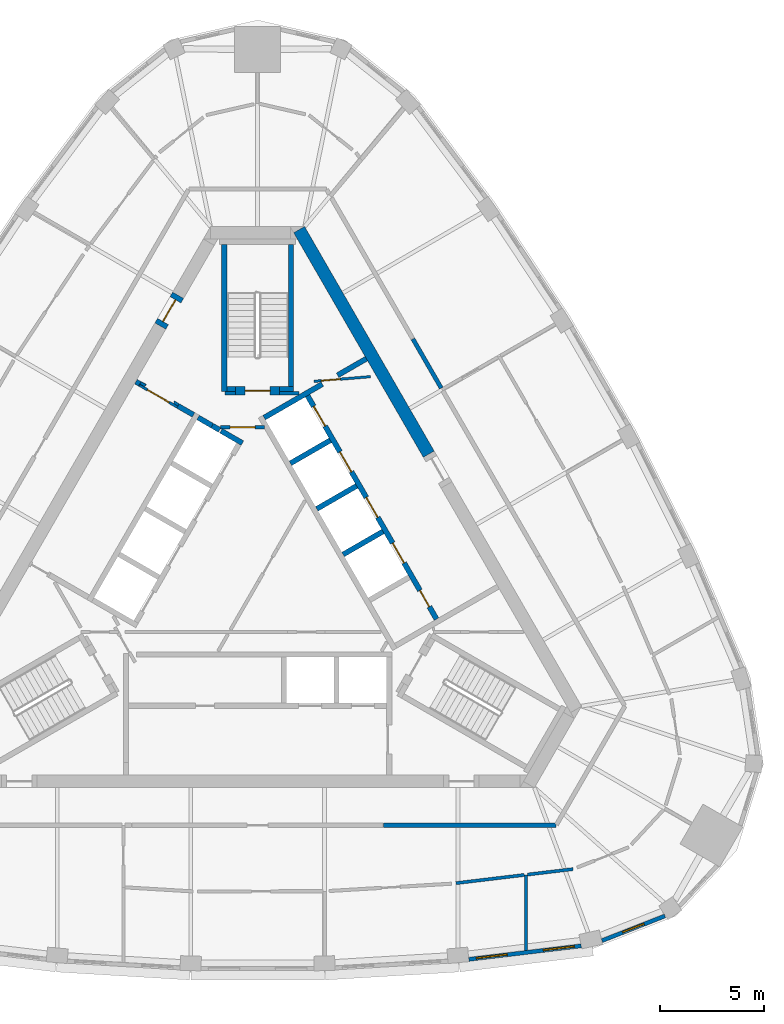
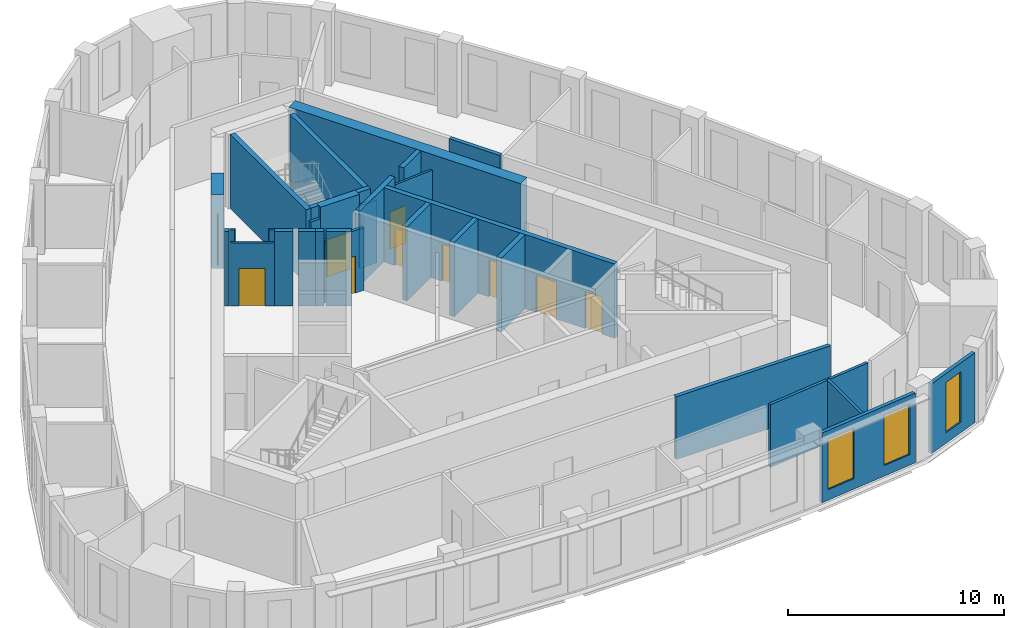
# One storey, part 6 of 10: 32 walls, 10 doors, 3 windows, 13 openings.
"""IFC4 building model written with IfcOpenShell, lengths in metres."""

from ifc_helpers import new_model, si_unit, direction, frame, frame_2d, origin, place, context, subcontext, project, spatial, polyline, rectangle, outline, extrude, material, layer, layer_set, type_object, element, fill, save


model = new_model("IFC4")

# Units and contexts
model_context = context("Model", 3, precision=1e-05, world=origin(), true_north=direction((0.0, 1.0)))
body_context = subcontext(model_context, "Body", "Model", "MODEL_VIEW")
ifc_project = project(units=[si_unit("LENGTHUNIT", "METRE"), si_unit("AREAUNIT", "SQUARE_METRE"), si_unit("VOLUMEUNIT", "CUBIC_METRE"), si_unit("PLANEANGLEUNIT", "RADIAN"), si_unit("MASSUNIT", "GRAM", prefix="KILO")], contexts=[model_context])

# Site, building, storey
site_placement = place(None, origin())
site = spatial("IfcSite", under=ifc_project, at=site_placement, CompositionType="ELEMENT")
building_placement = place(site_placement, origin())
building = spatial("IfcBuilding", under=site, at=building_placement, Name="Mestral Congress Tower", CompositionType="ELEMENT")
storey_placement = place(building_placement, frame((0.0, 0.0, 288.0)))
storey = spatial("IfcBuildingStorey", under=building, at=storey_placement, Name="L67", CompositionType="ELEMENT", Elevation=288.0)

# Walls
ifc_material_1 = material(Name="Fire-rated board partition")
ifc_layer_1 = layer(ifc_material_1, 0.14990234375)
ifc_layer_set_1 = layer_set([ifc_layer_1], Name="Fire-rated board partition")
wall_type_1 = type_object("IfcWallType", Name="Core partition 150", PredefinedType="PARTITIONING", material=ifc_layer_set_1)
wall_1_placement = place(storey_placement, frame((1.050048828125, 8.62548828125, 0.0), z_axis=(0.0, 0.0, 1.0), x_axis=(1.0, 0.0, 0.0)))
element("IfcWall", 1, at=wall_1_placement, inside=storey, type_object=wall_type_1, Name="L67 core wall", PredefinedType="PARTITIONING", context=body_context, shape_type="SweptSolid", body=[
    extrude(rectangle(XDim=0.9287109375, YDim=0.14990234375, at=frame_2d((0.46435546875, 0.0))), origin(), (0.0, 0.0, 1.0), 3.550048828125),
])
wall_2_placement = place(storey_placement, frame((-1.56396484375, 8.62548828125, 0.0), z_axis=(0.0, 0.0, 1.0), x_axis=(1.0, 0.0, 0.0)))
element("IfcWall", 2, at=wall_2_placement, inside=storey, type_object=wall_type_1, Name="L67 core wall", PredefinedType="PARTITIONING", context=body_context, shape_type="SweptSolid", body=[
    extrude(rectangle(XDim=0.513916015625, YDim=0.14990234375, at=frame_2d((0.2568359375, 0.0))), origin(), (0.0, 0.0, 1.0), 3.550048828125),
])

# Wall, opening, door
wall_3_placement = place(storey_placement, frame((-1.765380859375, 7.0, 0.0), z_axis=(0.0, 0.0, 1.0), x_axis=(1.0, 0.0, 0.0)))
wall_3 = element("IfcWall", 3, at=wall_3_placement, inside=storey, type_object=wall_type_1, Name="L67 door wall", PredefinedType="PARTITIONING", context=body_context, shape_type="SweptSolid", body=[
    extrude(rectangle(XDim=2.10009765625, YDim=0.14990234375, at=frame_2d((1.050048828125, 0.0))), origin(), (0.0, 0.0, 1.0), 3.550048828125),
])
opening_1_placement = place(wall_3_placement, frame((0.449951171875, 0.0, 0.0)))
opening_1 = element("IfcOpeningElement", 4, at=opening_1_placement, cuts=wall_3, Name="Opening CD2-FF", PredefinedType="OPENING", context=body_context, shape_type="SweptSolid", body=[
    extrude(rectangle(XDim=1.199951171875, YDim=2.10009765625, at=frame_2d((0.60009765625, 1.050048828125))), frame((0.0, 0.0849609375, 0.0), z_axis=(0.0, -1.0, 0.0), x_axis=(1.0, 0.0, 0.0)), (0.0, 0.0, 1.0), 0.169921875),
])
ifc_material_2 = material(Name="Fire-rated steel door set", Category="steel")
door_type_1 = type_object("IfcDoorType", Name="Core door CD 1200x2100", OperationType="SINGLE_SWING_LEFT", PredefinedType="DOOR", material=ifc_material_2)
door_1_placement = place(opening_1_placement, origin())
door_1 = element("IfcDoor", 5, at=door_1_placement, inside=storey, type_object=door_type_1, Name="Door CD2-FF", OperationType="SINGLE_SWING_LEFT", OverallHeight=2.10009765625, OverallWidth=1.199951171875, PredefinedType="DOOR", context=body_context, shape_type="SweptSolid", body=[
    extrude(rectangle(XDim=1.199951171875, YDim=2.10009765625, at=frame_2d((0.60009765625, 1.050048828125))), frame((0.0, 0.02490234375, 0.0), z_axis=(0.0, -1.0, 0.0), x_axis=(1.0, 0.0, 0.0)), (0.0, 0.0, 1.0), 0.050048828125),
])
fill(opening_1, door_1)

ifc_layer_2 = layer(ifc_material_1, 0.1201171875)
ifc_layer_set_2 = layer_set([ifc_layer_2], Name="Fire-rated board partition")
wall_type_2 = type_object("IfcWallType", Name="Core partition 150 door-wall 120", PredefinedType="PARTITIONING", material=ifc_layer_set_2)
wall_4_placement = place(storey_placement, frame((5.3984375, 9.418701171875, 0.0), z_axis=(0.0, 0.0, 1.0), x_axis=(-0.996653416376, -0.081743303248, 0.0)))
wall_4 = element("IfcWall", 6, at=wall_4_placement, inside=storey, type_object=wall_type_2, Name="L67 door wall", PredefinedType="PARTITIONING", context=body_context, shape_type="SweptSolid", body=[
    extrude(rectangle(XDim=2.699951171875, YDim=0.119873046875, at=frame_2d((1.35009765625, 0.0))), origin(), (0.0, 0.0, 1.0), 3.550048828125),
])
opening_2_placement = place(wall_4_placement, frame((1.449951171875, 0.0, 0.0)))
opening_2 = element("IfcOpeningElement", 7, at=opening_2_placement, cuts=wall_4, Name="Opening TD2", PredefinedType="OPENING", context=body_context, shape_type="SweptSolid", body=[
    extrude(rectangle(XDim=0.89990234375, YDim=2.10009765625, at=frame_2d((0.449951171875, 1.050048828125))), frame((0.0, 0.06982421875, 0.0), z_axis=(0.0, -1.0, 0.0), x_axis=(1.0, 0.0, 0.0)), (0.0, 0.0, 1.0), 0.139892578125),
])
door_type_2 = type_object("IfcDoorType", Name="Core door SR 900x2100", OperationType="SINGLE_SWING_LEFT", PredefinedType="DOOR", material=ifc_material_2)
door_2_placement = place(opening_2_placement, origin())
door_2 = element("IfcDoor", 8, at=door_2_placement, inside=storey, type_object=door_type_2, Name="Door TD2", OperationType="SINGLE_SWING_LEFT", OverallHeight=2.10009765625, OverallWidth=0.89990234375, PredefinedType="DOOR", context=body_context, shape_type="SweptSolid", body=[
    extrude(rectangle(XDim=0.89990234375, YDim=2.10009765625, at=frame_2d((0.449951171875, 1.050048828125))), frame((0.0, 0.02490234375, 0.0), z_axis=(0.0, -1.0, 0.0), x_axis=(1.0, 0.0, 0.0)), (0.0, 0.0, 1.0), 0.050048828125),
])
fill(opening_2, door_2)

wall_5_placement = place(storey_placement, frame((-5.65869140625, 9.01171875, 0.0), z_axis=(0.0, 0.0, 1.0), x_axis=(0.866009402589, -0.500027713859, 0.0)))
wall_5 = element("IfcWall", 9, at=wall_5_placement, inside=storey, type_object=wall_type_2, Name="L67 door wall", PredefinedType="PARTITIONING", context=body_context, shape_type="SweptSolid", body=[
    extrude(rectangle(XDim=2.10009765625, YDim=0.1201171875, at=frame_2d((1.050048828125, 0.0))), origin(), (0.0, 0.0, 1.0), 3.550048828125),
])
opening_3_placement = place(wall_5_placement, frame((0.449951171875, 0.0, 0.0)))
opening_3 = element("IfcOpeningElement", 10, at=opening_3_placement, cuts=wall_5, Name="Opening LB2-WL2", PredefinedType="OPENING", context=body_context, shape_type="SweptSolid", body=[
    extrude(rectangle(XDim=1.199951171875, YDim=2.10009765625, at=frame_2d((0.60009765625, 1.050048828125))), frame((0.0, 0.070068359375, 0.0), z_axis=(0.0, -1.0, 0.0), x_axis=(1.0, 0.0, 0.0)), (0.0, 0.0, 1.0), 0.14013671875),
])
door_type_3 = type_object("IfcDoorType", Name="Core door LB 1200x2100", OperationType="SINGLE_SWING_LEFT", PredefinedType="DOOR", material=ifc_material_2)
door_3_placement = place(opening_3_placement, origin())
door_3 = element("IfcDoor", 11, at=door_3_placement, inside=storey, type_object=door_type_3, Name="Door LB2-WL2", OperationType="SINGLE_SWING_LEFT", OverallHeight=2.10009765625, OverallWidth=1.199951171875, PredefinedType="DOOR", context=body_context, shape_type="SweptSolid", body=[
    extrude(rectangle(XDim=1.199951171875, YDim=2.10009765625, at=frame_2d((0.60009765625, 1.050048828125))), frame((0.0, 0.02490234375, 0.0), z_axis=(0.0, -1.0, 0.0), x_axis=(1.0, 0.0, 0.0)), (0.0, 0.0, 1.0), 0.050048828125),
])
fill(opening_3, door_3)

# Wall
ifc_material_3 = material(Name="Concrete C60/75", Category="concrete")
ifc_layer_3 = layer(ifc_material_3, 0.60009765625)
ifc_layer_set_3 = layer_set([ifc_layer_3], Name="Concrete C60/75")
wall_type_3 = type_object("IfcWallType", Name="Core wall RC 600", PredefinedType="SOLIDWALL", material=ifc_layer_set_3)
wall_6_placement = place(storey_placement, frame((1.98876953125, 16.45556640625, 0.0), z_axis=(0.0, 0.0, 1.0), x_axis=(0.49999102663, -0.8660305845, 0.0)))
element("IfcWall", 12, at=wall_6_placement, inside=storey, type_object=wall_type_3, Name="L67 core wall", PredefinedType="SOLIDWALL", context=body_context, shape_type="SweptSolid", body=[
    extrude(rectangle(XDim=12.406494140625, YDim=0.60009765625, at=frame_2d((6.203125, 0.0))), origin(), (0.0, 0.0, 1.0), 4.199951171875),
])

# Wall, opening, door
wall_7_placement = place(storey_placement, frame((-4.65234375, 11.842041015625, 0.0), z_axis=(0.0, 0.0, 1.0), x_axis=(0.500062241894, 0.865989465428, 0.0)))
wall_7 = element("IfcWall", 13, at=wall_7_placement, inside=storey, type_object=wall_type_3, Name="L67 door wall", PredefinedType="SOLIDWALL", context=body_context, shape_type="SweptSolid", body=[
    extrude(rectangle(XDim=1.699951171875, YDim=0.60009765625, at=frame_2d((0.85009765625, 0.0))), origin(), (0.0, 0.0, 1.0), 4.199951171875),
])
opening_4_placement = place(wall_7_placement, frame((0.25, 0.0, 0.0)))
opening_4 = element("IfcOpeningElement", 14, at=opening_4_placement, cuts=wall_7, Name="Opening XD2", PredefinedType="OPENING", context=body_context, shape_type="SweptSolid", body=[
    extrude(rectangle(XDim=1.199951171875, YDim=2.10009765625, at=frame_2d((0.60009765625, 1.050048828125))), frame((0.0, 0.31005859375, 0.0), z_axis=(0.0, -1.0, 0.0), x_axis=(1.0, 0.0, 0.0)), (0.0, 0.0, 1.0), 0.6201171875),
])
door_type_4 = type_object("IfcDoorType", Name="Core door XD 1200x2100", OperationType="SINGLE_SWING_LEFT", PredefinedType="DOOR", material=ifc_material_2)
door_4_placement = place(opening_4_placement, origin())
door_4 = element("IfcDoor", 15, at=door_4_placement, inside=storey, type_object=door_type_4, Name="Door XD2", OperationType="SINGLE_SWING_LEFT", OverallHeight=2.10009765625, OverallWidth=1.199951171875, PredefinedType="DOOR", context=body_context, shape_type="SweptSolid", body=[
    extrude(rectangle(XDim=1.199951171875, YDim=2.10009765625, at=frame_2d((0.60009765625, 1.050048828125))), frame((0.0, 0.02490234375, 0.0), z_axis=(0.0, -1.0, 0.0), x_axis=(1.0, 0.0, 0.0)), (0.0, 0.0, 1.0), 0.050048828125),
])
fill(opening_4, door_4)

# Wall, openings, windows
ifc_material_4 = material(Name="Precast concrete C40/50 with limestone facing", Category="masonry")
ifc_layer_4 = layer(ifc_material_4, 0.18994140625)
ifc_layer_set_4 = layer_set([ifc_layer_4], Name="Precast concrete C40/50 with limestone facing")
wall_type_4 = type_object("IfcWallType", Name="Facade stone wall 190", PredefinedType="SOLIDWALL", material=ifc_layer_set_4)
wall_8_placement = place(storey_placement, frame((10.110595703125, -18.4677734375, 0.0), z_axis=(0.0, 0.0, 1.0), x_axis=(0.992885582795, 0.119072328769, 0.0)))
wall_8 = element("IfcWall", 16, at=wall_8_placement, inside=storey, type_object=wall_type_4, Name="Facade wall F0-04", PredefinedType="SOLIDWALL", context=body_context, shape_type="SweptSolid", body=[
    extrude(rectangle(XDim=5.4150390625, YDim=0.18994140625, at=frame_2d((2.70751953125, 0.0))), origin(), (0.0, 0.0, 1.0), 3.949951171875),
])
opening_5_placement = place(wall_8_placement, frame((0.357421875, 0.0, 0.60009765625)))
opening_5 = element("IfcOpeningElement", 17, at=opening_5_placement, cuts=wall_8, Name="Opening W6", PredefinedType="OPENING", context=body_context, shape_type="SweptSolid", body=[
    extrude(rectangle(XDim=1.5, YDim=2.85009765625, at=frame_2d((0.75, 1.425048828125))), frame((0.0, 0.10498046875, 0.0), z_axis=(0.0, -1.0, 0.0), x_axis=(1.0, 0.0, 0.0)), (0.0, 0.0, 1.0), 0.2099609375),
])
opening_6_placement = place(wall_8_placement, frame((3.592529296875, 0.0, 0.60009765625)))
opening_6 = element("IfcOpeningElement", 18, at=opening_6_placement, cuts=wall_8, Name="Opening W6", PredefinedType="OPENING", context=body_context, shape_type="SweptSolid", body=[
    extrude(rectangle(XDim=1.5, YDim=2.85009765625, at=frame_2d((0.75, 1.425048828125))), frame((0.0, 0.10498046875, 0.0), z_axis=(0.0, -1.0, 0.0), x_axis=(1.0, 0.0, 0.0)), (0.0, 0.0, 1.0), 0.2099609375),
])
ifc_material_5 = material(Name="Clear low-emissivity double glazing", Category="glass")
window_type_1 = type_object("IfcWindowType", Name="Facade punched window 1500 x 2850 sill 600", PartitioningType="SINGLE_PANEL", PredefinedType="WINDOW", material=ifc_material_5)
window_1_placement = place(opening_5_placement, origin())
window_1 = element("IfcWindow", 19, at=window_1_placement, inside=storey, type_object=window_type_1, Name="Window F0-04a", OverallHeight=2.85009765625, OverallWidth=1.5, PartitioningType="SINGLE_PANEL", PredefinedType="WINDOW", context=body_context, shape_type="SweptSolid", body=[
    extrude(rectangle(XDim=1.5, YDim=2.85009765625, at=frame_2d((0.75, 1.425048828125))), frame((0.0, 0.044921875, 0.0), z_axis=(0.0, -1.0, 0.0), x_axis=(1.0, 0.0, 0.0)), (0.0, 0.0, 1.0), 0.06005859375),
])
fill(opening_5, window_1)
window_2_placement = place(opening_6_placement, origin())
window_2 = element("IfcWindow", 20, at=window_2_placement, inside=storey, type_object=window_type_1, Name="Window F0-04b", OverallHeight=2.85009765625, OverallWidth=1.5, PartitioningType="SINGLE_PANEL", PredefinedType="WINDOW", context=body_context, shape_type="SweptSolid", body=[
    extrude(rectangle(XDim=1.5, YDim=2.85009765625, at=frame_2d((0.75, 1.425048828125))), frame((0.0, 0.044921875, 0.0), z_axis=(0.0, -1.0, 0.0), x_axis=(1.0, 0.0, 0.0)), (0.0, 0.0, 1.0), 0.06005859375),
])
fill(opening_6, window_2)

# Wall, opening, window
wall_9_placement = place(storey_placement, frame((16.48291015625, -17.572998046875, 0.0), z_axis=(0.0, 0.0, 1.0), x_axis=(0.93100888477, 0.364996515709, 0.0)))
wall_9 = element("IfcWall", 21, at=wall_9_placement, inside=storey, type_object=wall_type_4, Name="Facade wall K0-0", PredefinedType="SOLIDWALL", context=body_context, shape_type="SweptSolid", body=[
    extrude(rectangle(XDim=3.23681640625, YDim=0.18994140625, at=frame_2d((1.618408203125, 0.0))), origin(), (0.0, 0.0, 1.0), 3.949951171875),
])
opening_7_placement = place(wall_9_placement, frame((1.068359375, 0.0, 0.60009765625)))
opening_7 = element("IfcOpeningElement", 22, at=opening_7_placement, cuts=wall_9, Name="Opening W7", PredefinedType="OPENING", context=body_context, shape_type="SweptSolid", body=[
    extrude(rectangle(XDim=1.10009765625, YDim=2.85009765625, at=frame_2d((0.550048828125, 1.425048828125))), frame((0.0, 0.10498046875, 0.0), z_axis=(0.0, -1.0, 0.0), x_axis=(1.0, 0.0, 0.0)), (0.0, 0.0, 1.0), 0.2099609375),
])
window_type_2 = type_object("IfcWindowType", Name="Facade punched window 1100 x 2850 sill 600", PartitioningType="SINGLE_PANEL", PredefinedType="WINDOW", material=ifc_material_5)
window_3_placement = place(opening_7_placement, origin())
window_3 = element("IfcWindow", 23, at=window_3_placement, inside=storey, type_object=window_type_2, Name="Window K0-0", OverallHeight=2.85009765625, OverallWidth=1.10009765625, PartitioningType="SINGLE_PANEL", PredefinedType="WINDOW", context=body_context, shape_type="SweptSolid", body=[
    extrude(rectangle(XDim=1.10009765625, YDim=2.85009765625, at=frame_2d((0.550048828125, 1.425048828125))), frame((0.0, 0.044921875, 0.0), z_axis=(0.0, -1.0, 0.0), x_axis=(1.0, 0.0, 0.0)), (0.0, 0.0, 1.0), 0.06005859375),
])
fill(opening_7, window_3)

# Walls
ifc_material_6 = material(Name="Plasterboard partition on steel studs", Category="steel")
ifc_layer_5 = layer(ifc_material_6, 0.14990234375)
ifc_layer_set_5 = layer_set([ifc_layer_5], Name="Plasterboard partition on steel studs")
wall_type_5 = type_object("IfcWallType", Name="Office partition 150", PredefinedType="PARTITIONING", material=ifc_layer_set_5)
wall_10_placement = place(storey_placement, frame((12.83935546875, -14.419189453125, 0.0), z_axis=(0.0, 0.0, 1.0), x_axis=(0.0, -1.0, 0.0)))
element("IfcWall", 24, at=wall_10_placement, inside=storey, type_object=wall_type_5, Name="Partition", PredefinedType="PARTITIONING", context=body_context, shape_type="SweptSolid", body=[
    extrude(rectangle(XDim=3.625732421875, YDim=0.14990234375, at=frame_2d((1.81298828125, 0.0))), origin(), (0.0, 0.0, 1.0), 3.550048828125),
])
wall_11_placement = place(storey_placement, frame((9.492431640625, -14.8203125, 0.0), z_axis=(0.0, 0.0, 1.0), x_axis=(0.992887701721, 0.119054658757, 0.0)))
element("IfcWall", 25, at=wall_11_placement, inside=storey, type_object=wall_type_5, Name="Partition", PredefinedType="PARTITIONING", context=body_context, shape_type="SweptSolid", body=[
    extrude(rectangle(XDim=3.29541015625, YDim=0.14990234375, at=frame_2d((1.647705078125, 0.0))), origin(), (0.0, 0.0, 1.0), 3.550048828125),
])
wall_12_placement = place(storey_placement, frame((12.914306640625, -14.41015625, 0.0), z_axis=(0.0, 0.0, 1.0), x_axis=(0.99288472801, 0.119079456181, 0.0)))
element("IfcWall", 26, at=wall_12_placement, inside=storey, type_object=wall_type_5, Name="Partition", PredefinedType="PARTITIONING", context=body_context, shape_type="SweptSolid", body=[
    extrude(rectangle(XDim=2.19580078125, YDim=0.14990234375, at=frame_2d((1.097900390625, 0.0))), origin(), (0.0, 0.0, 1.0), 3.550048828125),
])
ifc_material_7 = material(Name="Dense masonry wall, plastered", Category="masonry")
ifc_layer_6 = layer(ifc_material_7, 0.199951171875)
ifc_layer_set_6 = layer_set([ifc_layer_6], Name="Dense masonry wall, plastered")
wall_type_6 = type_object("IfcWallType", Name="Office tenancy wall 200", PredefinedType="PARTITIONING", material=ifc_layer_set_6)
wall_13_placement = place(storey_placement, frame((6.030029296875, -12.050048828125, 0.0), z_axis=(0.0, 0.0, 1.0), x_axis=(1.0, 0.0, 0.0)))
element("IfcWall", 27, at=wall_13_placement, inside=storey, type_object=wall_type_6, Name="Tenancy wall", PredefinedType="PARTITIONING", context=body_context, shape_type="SweptSolid", body=[
    extrude(rectangle(XDim=8.25927734375, YDim=0.199951171875, at=frame_2d((4.129638671875, 0.0))), origin(), (0.0, 0.0, 1.0), 3.550048828125),
])
wall_14_placement = place(storey_placement, frame((8.79150390625, 8.87255859375, 0.0), z_axis=(0.0, 0.0, 1.0), x_axis=(-0.499992600721, 0.866029675718, 0.0)))
element("IfcWall", 28, at=wall_14_placement, inside=storey, type_object=wall_type_6, Name="Tenancy wall", PredefinedType="PARTITIONING", context=body_context, shape_type="SweptSolid", body=[
    extrude(rectangle(XDim=2.7119140625, YDim=0.199951171875, at=frame_2d((1.35595703125, 0.0))), origin(), (0.0, 0.0, 1.0), 3.550048828125),
])
ifc_layer_7 = layer(ifc_material_3, 0.25)
ifc_layer_set_7 = layer_set([ifc_layer_7], Name="Concrete C60/75")
wall_type_7 = type_object("IfcWallType", Name="Shaft wall RC 250", PredefinedType="SOLIDWALL", material=ifc_layer_set_7)
wall_15_placement = place(storey_placement, frame((3.10009765625, 9.064453125, 0.0), z_axis=(0.0, 0.0, 1.0), x_axis=(-0.866030133475, -0.499991807846, 0.0)))
element("IfcWall", 29, at=wall_15_placement, inside=storey, type_object=wall_type_7, Name="L67 core wall", PredefinedType="SOLIDWALL", context=body_context, shape_type="SweptSolid", body=[
    extrude(rectangle(XDim=3.216796875, YDim=0.25, at=frame_2d((1.6083984375, 0.0))), origin(), (0.0, 0.0, 1.0), 4.199951171875),
])
wall_16_placement = place(storey_placement, frame((1.57421875, 5.273681640625, 0.0), z_axis=(0.0, 0.0, 1.0), x_axis=(0.866028486751, 0.499994660107, 0.0)))
element("IfcWall", 30, at=wall_16_placement, inside=storey, type_object=wall_type_7, Name="L67 core wall", PredefinedType="SOLIDWALL", context=body_context, shape_type="SweptSolid", body=[
    extrude(rectangle(XDim=2.19970703125, YDim=0.25, at=frame_2d((1.099853515625, 0.0))), origin(), (0.0, 0.0, 1.0), 4.199951171875),
])
for number, where, z_axis, x_axis, name in (
    (31, (2.833984375, 3.091064453125, 0.0), (0.0, 0.0, 1.0), (0.866008176907, 0.50002983664, 0.0), "L67 core wall"),
    (32, (4.093994140625, 0.90869140625, 0.0), (0.0, 0.0, 1.0), (0.866008176907, 0.50002983664, 0.0), "L67 core wall"),
):
    element("IfcWall", number, at=place(storey_placement, frame(where, z_axis=z_axis, x_axis=x_axis)), inside=storey, type_object=wall_type_7, Name=name, PredefinedType="SOLIDWALL", context=body_context, shape_type="SweptSolid", body=[
        extrude(rectangle(XDim=2.199951171875, YDim=0.25, at=frame_2d((1.10009765625, 0.0))), origin(), (0.0, 0.0, 1.0), 4.199951171875),
    ])
wall_17_placement = place(storey_placement, frame((3.82958984375, 9.485595703125, 0.0), z_axis=(0.0, 0.0, 1.0), x_axis=(0.865986202621, 0.500067892261, 0.0)))
element("IfcWall", 33, at=wall_17_placement, inside=storey, type_object=wall_type_7, Name="L67 core wall", PredefinedType="SOLIDWALL", context=body_context, shape_type="SweptSolid", body=[
    extrude(rectangle(XDim=1.590576171875, YDim=0.25, at=frame_2d((0.79541015625, 0.0))), origin(), (0.0, 0.0, 1.0), 4.199951171875),
])
wall_18_placement = place(storey_placement, frame((-1.818603515625, 6.869873046875, 0.0), z_axis=(0.0, 0.0, 1.0), x_axis=(-0.866294599386, 0.499533449405, 0.0)))
element("IfcWall", 34, at=wall_18_placement, inside=storey, type_object=wall_type_7, Name="L67 core wall", PredefinedType="SOLIDWALL", context=body_context, shape_type="SweptSolid", body=[
    extrude(rectangle(XDim=0.41015625, YDim=0.25, at=frame_2d((0.205078125, 0.0))), origin(), (0.0, 0.0, 1.0), 4.199951171875),
])
wall_19_placement = place(storey_placement, frame((-2.849365234375, 7.46484375, 0.0), z_axis=(0.0, 0.0, 1.0), x_axis=(0.865955664968, -0.500120771724, 0.0)))
element("IfcWall", 35, at=wall_19_placement, inside=storey, type_object=wall_type_7, Name="L67 core wall", PredefinedType="SOLIDWALL", context=body_context, shape_type="SweptSolid", body=[
    extrude(rectangle(XDim=0.778076171875, YDim=0.25, at=frame_2d((0.38916015625, 0.0))), origin(), (0.0, 0.0, 1.0), 4.199951171875),
])
wall_20_placement = place(storey_placement, frame((-0.7275390625, 6.23974609375, 0.0), z_axis=(0.0, 0.0, 1.0), x_axis=(-0.866002680491, 0.500039355833, 0.0)))
element("IfcWall", 36, at=wall_20_placement, inside=storey, type_object=wall_type_7, Name="L67 core wall", PredefinedType="SOLIDWALL", context=body_context, shape_type="SweptSolid", body=[
    extrude(rectangle(XDim=1.17822265625, YDim=0.25, at=frame_2d((0.589111328125, 0.0))), origin(), (0.0, 0.0, 1.0), 4.199951171875),
])
wall_21_placement = place(storey_placement, frame((-5.62939453125, 9.06982421875, 0.0), z_axis=(0.0, 0.0, 1.0), x_axis=(-0.866185586049, 0.49972245349, 0.0)))
element("IfcWall", 37, at=wall_21_placement, inside=storey, type_object=wall_type_7, Name="L67 core wall", PredefinedType="SOLIDWALL", context=body_context, shape_type="SweptSolid", body=[
    extrude(rectangle(XDim=0.2197265625, YDim=0.25, at=frame_2d((0.10986328125, 0.0))), origin(), (0.0, 0.0, 1.0), 4.199951171875),
])
wall_22_placement = place(storey_placement, frame((-3.808837890625, 8.018798828125, 0.0), z_axis=(0.0, 0.0, 1.0), x_axis=(0.866010229787, -0.500026281214, 0.0)))
element("IfcWall", 38, at=wall_22_placement, inside=storey, type_object=wall_type_7, Name="L67 core wall", PredefinedType="SOLIDWALL", context=body_context, shape_type="SweptSolid", body=[
    extrude(rectangle(XDim=0.85791015625, YDim=0.25, at=frame_2d((0.428955078125, 0.0))), origin(), (0.0, 0.0, 1.0), 4.199951171875),
])
placement = place(storey_placement, origin())
element("IfcWall", 39, at=placement, inside=storey, type_object=wall_type_7, Name="L67 core wall", PredefinedType="SOLIDWALL", context=body_context, shape_type="SweptSolid", body=[
    extrude(outline(polyline([(-3.748291015625, 8.128173828125), (-3.813232421875, 8.015380859375), (-4.026611328125, 8.138671875), (-4.0166015625, 8.156005859375), (-4.007568359375, 8.17333984375), (-4.000244140625, 8.191650390625), (-3.994873046875, 8.21044921875), (-3.991455078125, 8.229736328125), (-3.98974609375, 8.24951171875), (-3.989990234375, 8.267822265625), (-3.748291015625, 8.128173828125)])), origin(), (0.0, 0.0, 1.0), 4.199951171875),
])
element("IfcWall", 40, at=placement, inside=storey, type_object=wall_type_7, Name="L67 core wall", PredefinedType="SOLIDWALL", context=body_context, shape_type="SweptSolid", body=[
    extrude(outline(polyline([(-5.688720703125, 8.959716796875), (-5.690185546875, 8.960693359375), (-5.565185546875, 9.177001953125), (-5.318603515625, 9.03466796875), (-5.334716796875, 9.02587890625), (-5.3505859375, 9.0146484375), (-5.36572265625, 9.001953125), (-5.37939453125, 8.98779296875), (-5.3916015625, 8.972412109375), (-5.402099609375, 8.955810546875), (-5.412109375, 8.938720703125), (-5.628662109375, 9.063720703125), (-5.628662109375, 9.063720703125), (-5.688720703125, 8.959716796875)])), origin(), (0.0, 0.0, 1.0), 4.199951171875),
])

# Wall, openings, doors
wall_25_placement = place(storey_placement, frame((8.565185546875, -2.185302734375, 0.0), z_axis=(0.0, 0.0, 1.0), x_axis=(-0.499997954832, 0.866026584559, 0.0)))
wall_25 = element("IfcWall", 41, at=wall_25_placement, inside=storey, type_object=wall_type_7, Name="L67 door wall", PredefinedType="SOLIDWALL", context=body_context, shape_type="SweptSolid", body=[
    extrude(rectangle(XDim=12.35009765625, YDim=0.25, at=frame_2d((6.175048828125, 0.0))), origin(), (0.0, 0.0, 1.0), 4.199951171875),
])
opening_8_placement = place(wall_25_placement, frame((0.68505859375, 0.0, 0.0)))
opening_8 = element("IfcOpeningElement", 42, at=opening_8_placement, cuts=wall_25, Name="Opening SR-NEB1", PredefinedType="OPENING", context=body_context, shape_type="SweptSolid", body=[
    extrude(rectangle(XDim=0.89990234375, YDim=2.10009765625, at=frame_2d((0.449951171875, 1.050048828125))), frame((0.0, 0.135009765625, 0.0), z_axis=(0.0, -1.0, 0.0), x_axis=(1.0, 0.0, 0.0)), (0.0, 0.0, 1.0), 0.27001953125),
])
opening_9_placement = place(wall_25_placement, frame((3.10498046875, 0.0, 0.0)))
opening_9 = element("IfcOpeningElement", 43, at=opening_9_placement, cuts=wall_25, Name="Opening LD-NEB2", PredefinedType="OPENING", context=body_context, shape_type="SweptSolid", body=[
    extrude(rectangle(XDim=1.10009765625, YDim=2.10009765625, at=frame_2d((0.550048828125, 1.050048828125))), frame((0.0, 0.135009765625, 0.0), z_axis=(0.0, -1.0, 0.0), x_axis=(1.0, 0.0, 0.0)), (0.0, 0.0, 1.0), 0.27001953125),
])
opening_10_placement = place(wall_25_placement, frame((5.625, 0.0, 0.0)))
opening_10 = element("IfcOpeningElement", 44, at=opening_10_placement, cuts=wall_25, Name="Opening LD-NEB3", PredefinedType="OPENING", context=body_context, shape_type="SweptSolid", body=[
    extrude(rectangle(XDim=1.10009765625, YDim=2.10009765625, at=frame_2d((0.550048828125, 1.050048828125))), frame((0.0, 0.135009765625, 0.0), z_axis=(0.0, -1.0, 0.0), x_axis=(1.0, 0.0, 0.0)), (0.0, 0.0, 1.0), 0.27001953125),
])
opening_11_placement = place(wall_25_placement, frame((8.14501953125, 0.0, 0.0)))
opening_11 = element("IfcOpeningElement", 45, at=opening_11_placement, cuts=wall_25, Name="Opening LD-NEB4", PredefinedType="OPENING", context=body_context, shape_type="SweptSolid", body=[
    extrude(rectangle(XDim=1.10009765625, YDim=2.10009765625, at=frame_2d((0.550048828125, 1.050048828125))), frame((0.0, 0.135009765625, 0.0), z_axis=(0.0, -1.0, 0.0), x_axis=(1.0, 0.0, 0.0)), (0.0, 0.0, 1.0), 0.27001953125),
])
opening_12_placement = place(wall_25_placement, frame((10.6650390625, 0.0, 0.0)))
opening_12 = element("IfcOpeningElement", 46, at=opening_12_placement, cuts=wall_25, Name="Opening LD-NEB5", PredefinedType="OPENING", context=body_context, shape_type="SweptSolid", body=[
    extrude(rectangle(XDim=1.10009765625, YDim=2.10009765625, at=frame_2d((0.550048828125, 1.050048828125))), frame((0.0, 0.135009765625, 0.0), z_axis=(0.0, -1.0, 0.0), x_axis=(1.0, 0.0, 0.0)), (0.0, 0.0, 1.0), 0.27001953125),
])
door_type_5 = type_object("IfcDoorType", Name="Core door LD 1100x2100", OperationType="DOUBLE_DOOR_SLIDING", PredefinedType="DOOR", material=ifc_material_2)
door_5_placement = place(opening_9_placement, origin())
door_5 = element("IfcDoor", 47, at=door_5_placement, inside=storey, type_object=door_type_5, Name="Door LD-NEB2", OperationType="DOUBLE_DOOR_SLIDING", OverallHeight=2.10009765625, OverallWidth=1.10009765625, PredefinedType="DOOR", context=body_context, shape_type="SweptSolid", body=[
    extrude(rectangle(XDim=1.10009765625, YDim=2.10009765625, at=frame_2d((0.550048828125, 1.050048828125))), frame((0.0, 0.02490234375, 0.0), z_axis=(0.0, -1.0, 0.0), x_axis=(1.0, 0.0, 0.0)), (0.0, 0.0, 1.0), 0.050048828125),
])
fill(opening_9, door_5)
door_6_placement = place(opening_10_placement, origin())
door_6 = element("IfcDoor", 48, at=door_6_placement, inside=storey, type_object=door_type_5, Name="Door LD-NEB3", OperationType="DOUBLE_DOOR_SLIDING", OverallHeight=2.10009765625, OverallWidth=1.10009765625, PredefinedType="DOOR", context=body_context, shape_type="SweptSolid", body=[
    extrude(rectangle(XDim=1.10009765625, YDim=2.10009765625, at=frame_2d((0.550048828125, 1.050048828125))), frame((0.0, 0.02490234375, 0.0), z_axis=(0.0, -1.0, 0.0), x_axis=(1.0, 0.0, 0.0)), (0.0, 0.0, 1.0), 0.050048828125),
])
fill(opening_10, door_6)
door_7_placement = place(opening_11_placement, origin())
door_7 = element("IfcDoor", 49, at=door_7_placement, inside=storey, type_object=door_type_5, Name="Door LD-NEB4", OperationType="DOUBLE_DOOR_SLIDING", OverallHeight=2.10009765625, OverallWidth=1.10009765625, PredefinedType="DOOR", context=body_context, shape_type="SweptSolid", body=[
    extrude(rectangle(XDim=1.10009765625, YDim=2.10009765625, at=frame_2d((0.550048828125, 1.050048828125))), frame((0.0, 0.02490234375, 0.0), z_axis=(0.0, -1.0, 0.0), x_axis=(1.0, 0.0, 0.0)), (0.0, 0.0, 1.0), 0.050048828125),
])
fill(opening_11, door_7)
door_8_placement = place(opening_12_placement, origin())
door_8 = element("IfcDoor", 50, at=door_8_placement, inside=storey, type_object=door_type_5, Name="Door LD-NEB5", OperationType="DOUBLE_DOOR_SLIDING", OverallHeight=2.10009765625, OverallWidth=1.10009765625, PredefinedType="DOOR", context=body_context, shape_type="SweptSolid", body=[
    extrude(rectangle(XDim=1.10009765625, YDim=2.10009765625, at=frame_2d((0.550048828125, 1.050048828125))), frame((0.0, 0.02490234375, 0.0), z_axis=(0.0, -1.0, 0.0), x_axis=(1.0, 0.0, 0.0)), (0.0, 0.0, 1.0), 0.050048828125),
])
fill(opening_12, door_8)
door_9_placement = place(opening_8_placement, origin())
door_9 = element("IfcDoor", 51, at=door_9_placement, inside=storey, type_object=door_type_2, Name="Door SR-NEB1", OperationType="SINGLE_SWING_LEFT", OverallHeight=2.10009765625, OverallWidth=0.89990234375, PredefinedType="DOOR", context=body_context, shape_type="SweptSolid", body=[
    extrude(rectangle(XDim=0.89990234375, YDim=2.10009765625, at=frame_2d((0.449951171875, 1.050048828125))), frame((0.0, 0.02490234375, 0.0), z_axis=(0.0, -1.0, 0.0), x_axis=(1.0, 0.0, 0.0)), (0.0, 0.0, 1.0), 0.050048828125),
])
fill(opening_8, door_9)

# Walls
ifc_layer_8 = layer(ifc_material_3, 0.25)
ifc_layer_set_8 = layer_set([ifc_layer_8], Name="Concrete C60/75")
wall_type_8 = type_object("IfcWallType", Name="Stair wall RC 250", PredefinedType="SOLIDWALL", material=ifc_layer_set_8)
wall_26_placement = place(storey_placement, frame((1.60009765625, 8.949951171875, 0.0), z_axis=(0.0, 0.0, 1.0), x_axis=(0.0, 1.0, 0.0)))
element("IfcWall", 52, at=wall_26_placement, inside=storey, type_object=wall_type_8, Name="L67 core wall", PredefinedType="SOLIDWALL", context=body_context, shape_type="SweptSolid", body=[
    extrude(rectangle(XDim=6.800048828125, YDim=0.25, at=frame_2d((3.39990234375, 0.0))), origin(), (0.0, 0.0, 1.0), 4.199951171875),
])
wall_27_placement = place(storey_placement, frame((1.050048828125, 8.824951171875, 0.0), z_axis=(0.0, 0.0, 1.0), x_axis=(1.0, 0.0, 0.0)))
element("IfcWall", 53, at=wall_27_placement, inside=storey, type_object=wall_type_8, Name="L67 core wall", PredefinedType="SOLIDWALL", context=body_context, shape_type="SweptSolid", body=[
    extrude(rectangle(XDim=0.675048828125, YDim=0.25, at=frame_2d((0.33740234375, 0.0))), origin(), (0.0, 0.0, 1.0), 4.199951171875),
])
wall_28_placement = place(storey_placement, frame((-1.60009765625, 8.699951171875, 0.0), z_axis=(0.0, 0.0, 1.0), x_axis=(0.0, 1.0, 0.0)))
element("IfcWall", 54, at=wall_28_placement, inside=storey, type_object=wall_type_8, Name="L67 core wall", PredefinedType="SOLIDWALL", context=body_context, shape_type="SweptSolid", body=[
    extrude(rectangle(XDim=7.050048828125, YDim=0.25, at=frame_2d((3.52490234375, 0.0))), origin(), (0.0, 0.0, 1.0), 4.199951171875),
])
wall_29_placement = place(storey_placement, frame((-1.47509765625, 8.824951171875, 0.0), z_axis=(0.0, 0.0, 1.0), x_axis=(1.0, 0.0, 0.0)))
element("IfcWall", 55, at=wall_29_placement, inside=storey, type_object=wall_type_8, Name="L67 core wall", PredefinedType="SOLIDWALL", context=body_context, shape_type="SweptSolid", body=[
    extrude(rectangle(XDim=0.425048828125, YDim=0.25, at=frame_2d((0.21240234375, 0.0))), origin(), (0.0, 0.0, 1.0), 4.199951171875),
])

# Wall, opening, door
ifc_layer_9 = layer(ifc_material_3, 0.39990234375)
ifc_layer_set_9 = layer_set([ifc_layer_9], Name="Concrete C60/75")
wall_type_9 = type_object("IfcWallType", Name="Stair wall RC 250 door-wall 400", PredefinedType="SOLIDWALL", material=ifc_layer_set_9)
wall_30_placement = place(storey_placement, frame((1.050048828125, 8.75, 0.0), z_axis=(0.0, 0.0, 1.0), x_axis=(-1.0, 0.0, 0.0)))
wall_30 = element("IfcWall", 56, at=wall_30_placement, inside=storey, type_object=wall_type_9, Name="L67 door wall", PredefinedType="SOLIDWALL", context=body_context, shape_type="SweptSolid", body=[
    extrude(rectangle(XDim=2.10009765625, YDim=0.39990234375, at=frame_2d((1.050048828125, 0.0))), origin(), (0.0, 0.0, 1.0), 4.199951171875),
])
opening_13_placement = place(wall_30_placement, frame((0.449951171875, 0.0, 0.0)))
opening_13 = element("IfcOpeningElement", 57, at=opening_13_placement, cuts=wall_30, Name="Opening ST-D2", PredefinedType="OPENING", context=body_context, shape_type="SweptSolid", body=[
    extrude(rectangle(XDim=1.199951171875, YDim=2.10009765625, at=frame_2d((0.60009765625, 1.050048828125))), frame((0.0, 0.2099609375, 0.0), z_axis=(0.0, -1.0, 0.0), x_axis=(1.0, 0.0, 0.0)), (0.0, 0.0, 1.0), 0.419921875),
])
door_type_6 = type_object("IfcDoorType", Name="Core door ST 1200x2100", OperationType="SINGLE_SWING_LEFT", PredefinedType="DOOR", material=ifc_material_2)
door_10_placement = place(opening_13_placement, origin())
door_10 = element("IfcDoor", 58, at=door_10_placement, inside=storey, type_object=door_type_6, Name="Door ST-D2", OperationType="SINGLE_SWING_LEFT", OverallHeight=2.10009765625, OverallWidth=1.199951171875, PredefinedType="DOOR", context=body_context, shape_type="SweptSolid", body=[
    extrude(rectangle(XDim=1.199951171875, YDim=2.10009765625, at=frame_2d((0.60009765625, 1.050048828125))), frame((0.0, 0.02490234375, 0.0), z_axis=(0.0, -1.0, 0.0), x_axis=(1.0, 0.0, 0.0)), (0.0, 0.0, 1.0), 0.050048828125),
])
fill(opening_13, door_10)

save(model, "model.ifc")
